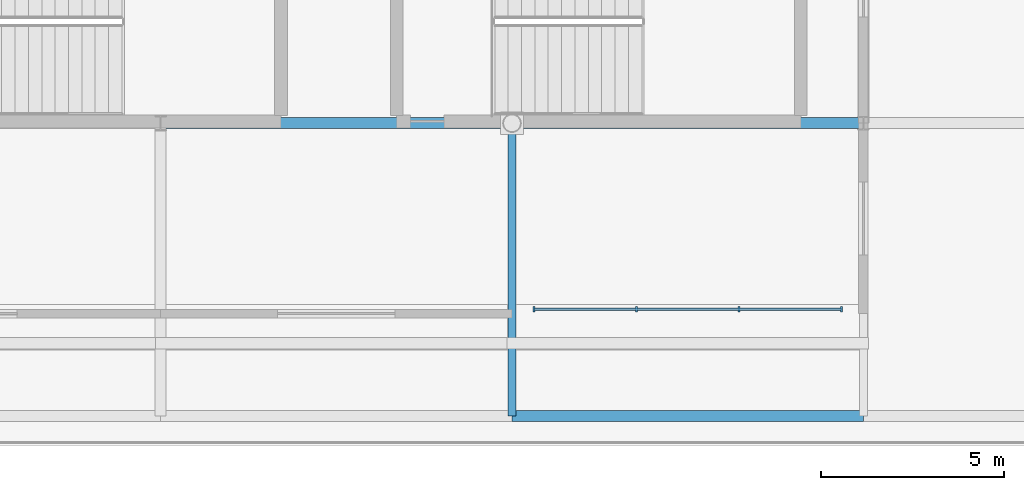
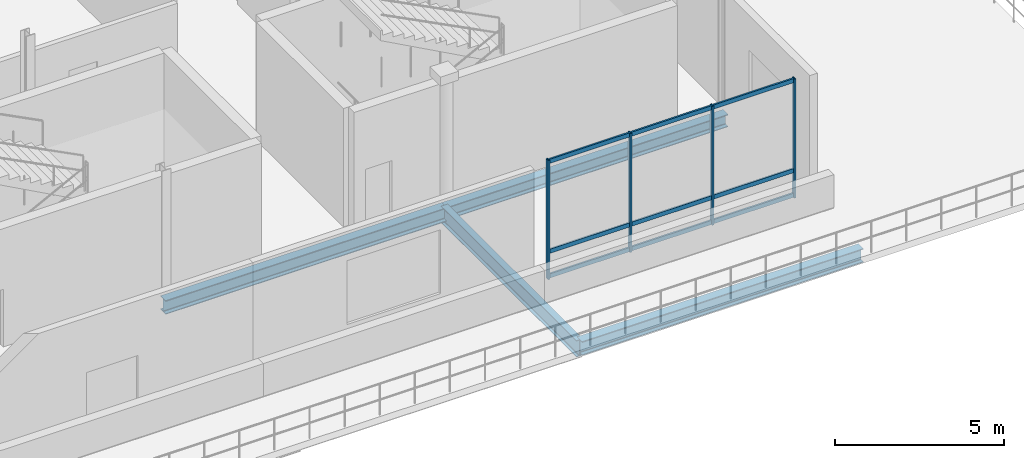
# One storey, part 11 of 26: 7 members, 4 beams, 1 element without a shape of its own.
"""IFC4 building model written with IfcOpenShell, lengths in metres."""

from ifc_helpers import new_model, si_unit, direction, frame, origin, origin_2d, place, context, subcontext, project, spatial, rectangle, i_section, extrude, material, material_profile, profile_set, type_object, element, aggregate, save


model = new_model("IFC4")

# Units and contexts
model_context = context("Model", 3, precision=1e-05, world=origin(), true_north=direction((0.0, 1.0)))
body_context = subcontext(model_context, "Body", "Model", "MODEL_VIEW")
ifc_project = project(units=[si_unit("LENGTHUNIT", "METRE"), si_unit("AREAUNIT", "SQUARE_METRE"), si_unit("VOLUMEUNIT", "CUBIC_METRE"), si_unit("PLANEANGLEUNIT", "RADIAN"), si_unit("MASSUNIT", "GRAM", prefix="KILO")], contexts=[model_context])

# Site, building, storey
site_placement = place(None, origin())
site = spatial("IfcSite", under=ifc_project, at=site_placement, CompositionType="ELEMENT")
building_placement = place(site_placement, origin())
building = spatial("IfcBuilding", under=site, at=building_placement, Name="Danafjord Basin Convention Centre", CompositionType="ELEMENT")
storey_placement = place(building_placement, frame((0.0, 0.0, 24.89990234375)))
storey = spatial("IfcBuildingStorey", under=building, at=storey_placement, Name="L05", CompositionType="ELEMENT", Elevation=24.89990234375)

# Beams
ifc_material_1 = material(Name="Steel S355", Category="steel")
ifc_material_profile_1 = material_profile(ifc_material_1, i_section(OverallWidth=0.300048828125, OverallDepth=0.449951171875, WebThickness=0.013916015625, FlangeThickness=0.02587890625, FilletRadius=0.027099609375, at=origin_2d()), Name="HEB 450")
ifc_profile_set_1 = profile_set([ifc_material_profile_1], Name="Steel S355")
beam_type_1 = type_object("IfcBeamType", Name="BEAM-BM-HEB450", PredefinedType="BEAM", material=ifc_profile_set_1)
beam_1_placement = place(storey_placement, frame((86.39990234375, 16.0, -0.474853515625), z_axis=(1.0, 0.0, 0.0), x_axis=(0.0, 1.0, 0.0)))
element("IfcBeam", 1, at=beam_1_placement, inside=storey, type_object=beam_type_1, Name="L05 girder BM-HEB450", PredefinedType="BEAM", context=body_context, shape_type="SweptSolid", body=[
    extrude(i_section(OverallWidth=0.300048828125, OverallDepth=0.449951171875, WebThickness=0.013916015625, FlangeThickness=0.02587890625, FilletRadius=0.027099609375, at=origin_2d()), origin(), (0.0, 0.0, 1.0), 9.60009765625),
])
ifc_material_profile_2 = material_profile(ifc_material_1, i_section(OverallWidth=0.300048828125, OverallDepth=0.5, WebThickness=0.014404296875, FlangeThickness=0.028076171875, FilletRadius=0.027099609375, at=origin_2d()), Name="HEB 500")
ifc_profile_set_2 = profile_set([ifc_material_profile_2], Name="Steel S355")
beam_type_2 = type_object("IfcBeamType", Name="BEAM-BM-HEB500", PredefinedType="BEAM", material=ifc_profile_set_2)
beam_2_placement = place(storey_placement, frame((76.800048828125, 16.0, -0.5), z_axis=(1.0, 0.0, 0.0), x_axis=(0.0, 1.0, 0.0)))
element("IfcBeam", 2, at=beam_2_placement, inside=storey, type_object=beam_type_2, Name="L05 girder BM-HEB500", PredefinedType="BEAM", context=body_context, shape_type="SweptSolid", body=[
    extrude(i_section(OverallWidth=0.300048828125, OverallDepth=0.5, WebThickness=0.014404296875, FlangeThickness=0.028076171875, FilletRadius=0.027099609375, at=origin_2d()), origin(), (0.0, 0.0, 1.0), 9.599853515625),
])
beam_3_placement = place(storey_placement, frame((86.39990234375, 8.0, -0.489990234375), z_axis=(1.0, 0.0, 0.0), x_axis=(0.0, 1.0, 0.0)))
element("IfcBeam", 3, at=beam_3_placement, inside=storey, type_object=beam_type_2, Name="L05 girder BM-HEB500", PredefinedType="BEAM", context=body_context, shape_type="SweptSolid", body=[
    extrude(i_section(OverallWidth=0.300048828125, OverallDepth=0.5, WebThickness=0.014404296875, FlangeThickness=0.028076171875, FilletRadius=0.027099609375, at=origin_2d()), origin(), (0.0, 0.0, 1.0), 9.60009765625),
])
ifc_material_profile_3 = material_profile(ifc_material_1, i_section(OverallWidth=0.219970703125, OverallDepth=0.60009765625, WebThickness=0.011962890625, FlangeThickness=0.01904296875, FilletRadius=0.02392578125, at=origin_2d()), Name="IPE 600")
ifc_profile_set_3 = profile_set([ifc_material_profile_3], Name="Steel S355")
beam_type_3 = type_object("IfcBeamType", Name="BEAM-BM-IPE600", PredefinedType="BEAM", material=ifc_profile_set_3)
beam_4_placement = place(storey_placement, frame((86.39990234375, 8.0, -0.5498046875), z_axis=(0.0, 1.0, 0.0), x_axis=(-1.0, 0.0, 0.0)))
element("IfcBeam", 4, at=beam_4_placement, inside=storey, type_object=beam_type_3, Name="L05 transverse girder BM-IPE600", PredefinedType="BEAM", context=body_context, shape_type="SweptSolid", body=[
    extrude(i_section(OverallWidth=0.219970703125, OverallDepth=0.60009765625, WebThickness=0.011962890625, FlangeThickness=0.01904296875, FilletRadius=0.02392578125, at=origin_2d()), origin(), (0.0, 0.0, 1.0), 8.0),
])

# Curtain wall, members
ifc_material_2 = material(Name="Anodised aluminium and triple glazing", Category="aluminium")
curtain_wall_type = type_object("IfcCurtainWallType", Name="CW-CW-TERR", PredefinedType="NOTDEFINED", material=ifc_material_2)
curtain_wall_placement = place(storey_placement, origin())
curtain_wall = element("IfcCurtainWall", 5, at=curtain_wall_placement, inside=storey, type_object=curtain_wall_type, Name="L05 CW-TERR unitised curtain wall bay 40", PredefinedType="NOTDEFINED")
ifc_material_3 = material(Name="Anodised aluminium EN AW-6060", Category="aluminium")
ifc_material_profile_4 = material_profile(ifc_material_3, rectangle(XDim=0.06005859375, YDim=0.139892578125, at=origin_2d()), Name="MULL 60x140")
ifc_profile_set_4 = profile_set([ifc_material_profile_4], Name="Anodised aluminium EN AW-6060")
member_type_1 = type_object("IfcMemberType", Name="MEM-ML-140", PredefinedType="MULLION", material=ifc_profile_set_4)
member_1_placement = place(storey_placement, frame((87.0, 10.919921875, -0.02490234375), z_axis=(0.0, 0.0, 1.0), x_axis=(1.0, 0.0, 0.0)))
member_1 = element("IfcMember", 6, at=member_1_placement, type_object=member_type_1, Name="CW-L05-040 mullion 1", PredefinedType="MULLION", context=body_context, shape_type="SweptSolid", body=[
    extrude(rectangle(XDim=0.06005859375, YDim=0.139892578125, at=origin_2d()), origin(), (0.0, 0.0, 1.0), 4.294921875),
])
member_2_placement = place(storey_placement, frame((89.800048828125, 10.919921875, -0.02490234375), z_axis=(0.0, 0.0, 1.0), x_axis=(1.0, 0.0, 0.0)))
member_2 = element("IfcMember", 7, at=member_2_placement, type_object=member_type_1, Name="CW-L05-040 mullion 2", PredefinedType="MULLION", context=body_context, shape_type="SweptSolid", body=[
    extrude(rectangle(XDim=0.06005859375, YDim=0.139892578125, at=origin_2d()), origin(), (0.0, 0.0, 1.0), 4.294921875),
])
member_3_placement = place(storey_placement, frame((92.60009765625, 10.919921875, -0.02490234375), z_axis=(0.0, 0.0, 1.0), x_axis=(1.0, 0.0, 0.0)))
member_3 = element("IfcMember", 8, at=member_3_placement, type_object=member_type_1, Name="CW-L05-040 mullion 3", PredefinedType="MULLION", context=body_context, shape_type="SweptSolid", body=[
    extrude(rectangle(XDim=0.06005859375, YDim=0.139892578125, at=origin_2d()), origin(), (0.0, 0.0, 1.0), 4.294921875),
])
member_4_placement = place(storey_placement, frame((95.39990234375, 10.919921875, -0.02490234375), z_axis=(0.0, 0.0, 1.0), x_axis=(1.0, 0.0, 0.0)))
member_4 = element("IfcMember", 9, at=member_4_placement, type_object=member_type_1, Name="CW-L05-040 mullion 4", PredefinedType="MULLION", context=body_context, shape_type="SweptSolid", body=[
    extrude(rectangle(XDim=0.06005859375, YDim=0.139892578125, at=origin_2d()), origin(), (0.0, 0.0, 1.0), 4.294921875),
])
ifc_material_profile_5 = material_profile(ifc_material_3, rectangle(XDim=0.06005859375, YDim=0.14990234375, at=origin_2d()), Name="TRAN 60x150")
ifc_profile_set_5 = profile_set([ifc_material_profile_5], Name="Anodised aluminium EN AW-6060")
member_type_2 = type_object("IfcMemberType", Name="MEM-TR-150", PredefinedType="USERDEFINED", material=ifc_profile_set_5)
member_5_placement = place(storey_placement, frame((87.0, 10.919921875, 0.06005859375), z_axis=(1.0, 0.0, 0.0), x_axis=(0.0, 1.0, 0.0)))
member_5 = element("IfcMember", 10, at=member_5_placement, type_object=member_type_2, Name="CW-L05-040 transom 1", ObjectType="TRANSOM", PredefinedType="USERDEFINED", context=body_context, shape_type="SweptSolid", body=[
    extrude(rectangle(XDim=0.06005859375, YDim=0.14990234375, at=origin_2d()), origin(), (0.0, 0.0, 1.0), 8.39990234375),
])
member_6_placement = place(storey_placement, frame((87.0, 10.919921875, 0.9501953125), z_axis=(1.0, 0.0, 0.0), x_axis=(0.0, 1.0, 0.0)))
member_6 = element("IfcMember", 11, at=member_6_placement, type_object=member_type_2, Name="CW-L05-040 transom 2", ObjectType="TRANSOM", PredefinedType="USERDEFINED", context=body_context, shape_type="SweptSolid", body=[
    extrude(rectangle(XDim=0.06005859375, YDim=0.14990234375, at=origin_2d()), origin(), (0.0, 0.0, 1.0), 8.39990234375),
])
member_7_placement = place(storey_placement, frame((87.0, 10.919921875, 4.2001953125), z_axis=(1.0, 0.0, 0.0), x_axis=(0.0, 1.0, 0.0)))
member_7 = element("IfcMember", 12, at=member_7_placement, type_object=member_type_2, Name="CW-L05-040 transom 3", ObjectType="TRANSOM", PredefinedType="USERDEFINED", context=body_context, shape_type="SweptSolid", body=[
    extrude(rectangle(XDim=0.06005859375, YDim=0.14990234375, at=origin_2d()), origin(), (0.0, 0.0, 1.0), 8.39990234375),
])
aggregate(curtain_wall, [member_1, member_2, member_3, member_4, member_5, member_6, member_7])

save(model, "model.ifc")
